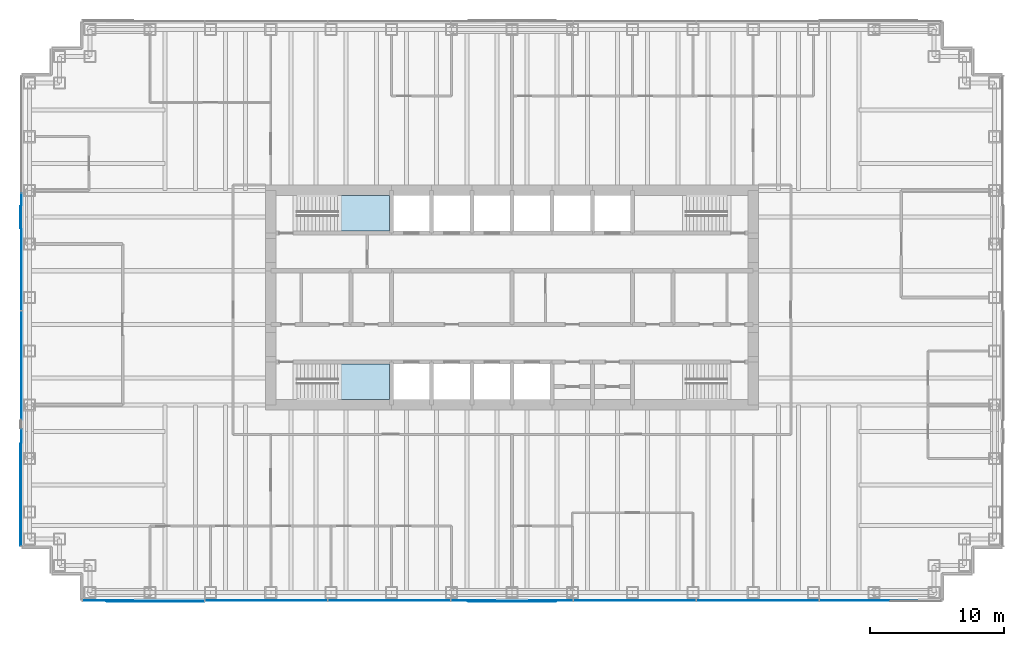
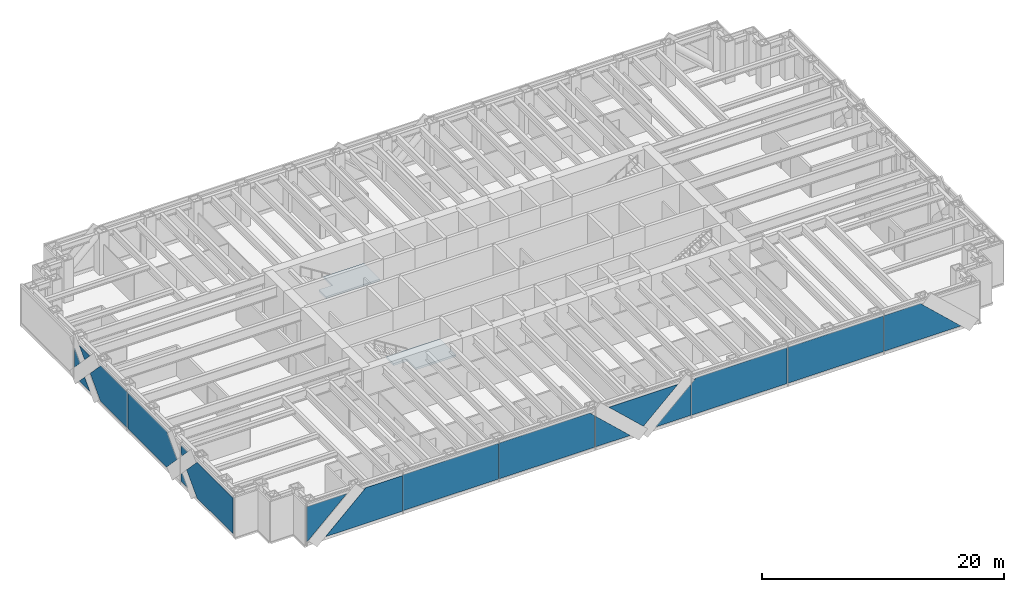
# One storey, part 9 of 18: 18 plates, 2 slabs, 4 elements without a shape of their own.
"""IFC4 building model written with IfcOpenShell, lengths in metres."""

import ifcopenshell
import ifcopenshell.guid

model = None  # the IFC model being written
_history = None  # IfcOwnerHistory: only IFC2X3 demands one
_inside = {}  # id of a spatial element -> (the spatial element, [elements in it])
_under = {}  # id of a project, library or spatial element -> (it, [spatial elements below it])
_declared = {}  # id of a project -> (the project, [libraries it declares])
_typed = {}  # id of a type object -> (the type object, [elements of that type])
_made_of = {}  # id of a material, layer set ... -> (it, [elements and type objects made of it])


def new_model(schema):
    """Start an empty IFC model of exactly this schema.

    Asked for "IFC4X3", IfcOpenShell would pick the latest addendum, in which some entities
    have other attributes; the version numbers below select the first issue.
    IFC2X3 requires an IfcOwnerHistory on every rooted entity: one is made here for all.
    """
    global model, _history
    if schema == "IFC4X3":
        model = ifcopenshell.file(schema_version=(4, 3, 0, 0))
    else:
        model = ifcopenshell.file(schema=schema)
    _inside.clear()
    _under.clear()
    _declared.clear()
    _typed.clear()
    _made_of.clear()
    _history = None
    if model.schema == "IFC2X3":
        org = make("IfcOrganization", Name="unknown")
        user = make(
            "IfcPersonAndOrganization",
            ThePerson=make("IfcPerson", FamilyName="unknown"),
            TheOrganization=org,
        )
        app = make(
            "IfcApplication",
            ApplicationDeveloper=org,
            Version="unknown",
            ApplicationFullName="unknown",
            ApplicationIdentifier="unknown",
        )
        _history = make(
            "IfcOwnerHistory",
            OwningUser=user,
            OwningApplication=app,
            ChangeAction="ADDED",
            CreationDate=0,
        )
    return model


def make(cls, **values):
    """One entity of the class cls with the attributes given. An attribute that is None is left unset."""
    return model.create_entity(
        cls, **{name: value for name, value in values.items() if value is not None}
    )


def rooted(cls, **values):
    """An entity with a GlobalId (a new one), such as an element, a storey or a relation."""
    return make(cls, GlobalId=ifcopenshell.guid.new(), OwnerHistory=_history, **values)


def si_unit(unit_type, name, prefix=None):
    """IfcSIUnit, for example si_unit("LENGTHUNIT", "METRE", prefix="MILLI")."""
    return make("IfcSIUnit", UnitType=unit_type, Prefix=prefix, Name=name)


def assignment(units):
    """IfcUnitAssignment: the units of a project."""
    return None if units is None else make("IfcUnitAssignment", Units=units)


def point(xyz):
    """IfcCartesianPoint."""
    return None if xyz is None else make("IfcCartesianPoint", Coordinates=xyz)


def direction(xyz):
    """IfcDirection."""
    return None if xyz is None else make("IfcDirection", DirectionRatios=xyz)


def frame(location, z_axis=None, x_axis=None):
    """IfcAxis2Placement3D, a coordinate frame: its origin and axes. An axis left out is left unset."""
    return make(
        "IfcAxis2Placement3D",
        Location=point(location),
        Axis=direction(z_axis),
        RefDirection=direction(x_axis),
    )


def frame_2d(location, x_axis=None):
    """IfcAxis2Placement2D, a coordinate frame in the plane: its origin and x axis."""
    return make(
        "IfcAxis2Placement2D", Location=point(location), RefDirection=direction(x_axis)
    )


def origin():
    """The frame at (0, 0, 0) with its axes left unset."""
    return frame((0.0, 0.0, 0.0))


def origin_2d():
    """The frame at (0, 0) in the plane with its x axis left unset."""
    return frame_2d((0.0, 0.0))


def place(relative_to, where):
    """IfcLocalPlacement: puts the frame where relative to a parent placement (None: the world)."""
    return make(
        "IfcLocalPlacement", PlacementRelTo=relative_to, RelativePlacement=where
    )


def context(
    kind, dimensions, precision=None, world=None, true_north=None, identifier=None
):
    """IfcGeometricRepresentationContext, for example the 3D "Model" context."""
    return make(
        "IfcGeometricRepresentationContext",
        ContextIdentifier=identifier,
        ContextType=kind,
        CoordinateSpaceDimension=dimensions,
        Precision=precision,
        WorldCoordinateSystem=world,
        TrueNorth=true_north,
    )


def subcontext(parent, identifier, kind, view, scale=None):
    """IfcGeometricRepresentationSubContext, for example "Body" below "Model"."""
    return make(
        "IfcGeometricRepresentationSubContext",
        ContextIdentifier=identifier,
        ContextType=kind,
        ParentContext=parent,
        TargetScale=scale,
        TargetView=view,
    )


def project(units=None, contexts=None):
    """IfcProject with its units and contexts."""
    return rooted(
        "IfcProject",
        Name="project",
        RepresentationContexts=contexts,
        UnitsInContext=assignment(units),
    )


def spatial(cls, under=None, at=None, **own):
    """A site, building, storey or space (cls), placed at a placement, below another one or the project."""
    s = rooted(cls, ObjectPlacement=at, **own)
    if under is not None:
        _under.setdefault(under.id(), (under, []))[1].append(s)
    return s


def polyline(points):
    """IfcPolyline through the points."""
    return make("IfcPolyline", Points=[point(p) for p in points])


def profile(cls, at=None, kind="AREA", **sizes):
    """A parametric profile (cls). Its sizes go by their IFC names, for example OverallWidth=200.0."""
    return make(cls, ProfileType=kind, Position=at, **sizes)


def rectangle(**sizes):
    """IfcRectangleProfileDef."""
    return profile("IfcRectangleProfileDef", **sizes)


def outline(outer, holes=None, kind="AREA"):
    """IfcArbitraryClosedProfileDef: a profile drawn as a closed curve; with holes, ...WithVoids."""
    if holes is None:
        return make("IfcArbitraryClosedProfileDef", ProfileType=kind, OuterCurve=outer)
    return make(
        "IfcArbitraryProfileDefWithVoids",
        ProfileType=kind,
        OuterCurve=outer,
        InnerCurves=holes,
    )


def extrude(swept, where, along, depth):
    """IfcExtrudedAreaSolid: the profile swept, set in the frame where, extruded along a direction by depth."""
    return make(
        "IfcExtrudedAreaSolid",
        SweptArea=swept,
        Position=where,
        ExtrudedDirection=direction(along),
        Depth=depth,
    )


def shape(context_of_items, identifier, shape_type, items):
    """IfcShapeRepresentation: the items that make up one representation, for example the "Body"."""
    return make(
        "IfcShapeRepresentation",
        ContextOfItems=context_of_items,
        RepresentationIdentifier=identifier,
        RepresentationType=shape_type,
        Items=items,
    )


def material(Name=None, Category=None):
    """IfcMaterial."""
    return make("IfcMaterial", Name=Name, Category=Category)


def layer(
    of_material, thickness, ventilated=None, Name=None, Category=None, Priority=None
):
    """IfcMaterialLayer: one layer of a wall or slab, of a material (None: an air gap)."""
    return make(
        "IfcMaterialLayer",
        Material=of_material,
        LayerThickness=thickness,
        IsVentilated=ventilated,
        Name=Name,
        Category=Category,
        Priority=Priority,
    )


def layer_set(layers, Name=None):
    """IfcMaterialLayerSet."""
    return make("IfcMaterialLayerSet", MaterialLayers=layers, LayerSetName=Name)


def made_of(thing, what):
    """Note that an element or type object is made of a material, layer set ...; save() writes the relation."""
    if what is not None:
        _made_of.setdefault(what.id(), (what, []))[1].append(thing)
    return thing


def type_object(cls, material=None, **own):
    """A type object (cls), such as IfcWallType, which elements share."""
    return made_of(rooted(cls, **own), material)


def element(
    cls,
    number,
    at=None,
    inside=None,
    cuts=None,
    type_object=None,
    material=None,
    context=None,
    identifier="Body",
    shape_type=None,
    held_by="IfcProductDefinitionShape",
    body=None,
    shapes=None,
    **own,
):
    """One element of the class cls, such as IfcWall. Its Tag is "e" and its number.

    at: its placement. inside: the storey or other place that contains it. cuts: it is an
    opening in that element (IfcRelVoidsElement). A single representation is given by context,
    identifier, shape_type and body (its items); several are given by shapes. held_by: the class
    of the entity that holds the representations. save() writes the other relations.
    """
    e = rooted(cls, Tag="e%d" % number, ObjectPlacement=at, **own)
    if body is not None:
        shapes = [shape(context, identifier, shape_type, body)]
    if shapes is not None:
        e.Representation = make(held_by, Representations=shapes)
    if inside is not None:
        _inside.setdefault(inside.id(), (inside, []))[1].append(e)
    if cuts is not None:
        rooted(
            "IfcRelVoidsElement", RelatingBuildingElement=cuts, RelatedOpeningElement=e
        )
    if type_object is not None:
        _typed.setdefault(type_object.id(), (type_object, []))[1].append(e)
    return made_of(e, material)


def aggregate(whole, parts):
    """IfcRelAggregates: a whole, such as a stair, and the parts it consists of."""
    return rooted("IfcRelAggregates", RelatingObject=whole, RelatedObjects=parts)


def save(model, path):
    """Write the relations noted so far, then the file.

    IfcRelAggregates (storeys below a building ...), IfcRelContainedInSpatialStructure (elements
    in a storey), IfcRelDefinesByType, IfcRelAssociatesMaterial and IfcRelDeclares: one each for
    every whole, place, type object, material and project.
    """
    for whole, parts in _under.values():
        aggregate(whole, parts)
    for where, things in _inside.values():
        rooted(
            "IfcRelContainedInSpatialStructure",
            RelatedElements=things,
            RelatingStructure=where,
        )
    for kind, things in _typed.values():
        rooted("IfcRelDefinesByType", RelatedObjects=things, RelatingType=kind)
    for what, things in _made_of.values():
        rooted("IfcRelAssociatesMaterial", RelatedObjects=things, RelatingMaterial=what)
    for by, libraries in _declared.values():
        rooted("IfcRelDeclares", RelatingContext=by, RelatedDefinitions=libraries)
    model.write(path)


model = new_model("IFC4")

# Units and contexts
model_context = context("Model", 3, precision=1e-05, world=origin(), true_north=direction((0.0, 1.0)))
body_context = subcontext(model_context, "Body", "Model", "MODEL_VIEW")
ifc_project = project(units=[si_unit("LENGTHUNIT", "METRE"), si_unit("AREAUNIT", "SQUARE_METRE"), si_unit("VOLUMEUNIT", "CUBIC_METRE"), si_unit("PLANEANGLEUNIT", "RADIAN"), si_unit("MASSUNIT", "GRAM", prefix="KILO")], contexts=[model_context])

# Site, building, storey
site_placement = place(None, origin())
site = spatial("IfcSite", under=ifc_project, at=site_placement, CompositionType="ELEMENT")
building_placement = place(site_placement, origin())
building = spatial("IfcBuilding", under=site, at=building_placement, Name="Rheinbord Bourse Tower", CompositionType="ELEMENT")
storey_placement = place(building_placement, frame((0.0, 0.0, 244.60009765625)))
storey = spatial("IfcBuildingStorey", under=building, at=storey_placement, Name="L55", CompositionType="ELEMENT", Elevation=244.60009765625)

# Curtain wall, plates
ifc_material_1 = material(Name="Dark glass and black aluminium", Category="aluminium")
curtain_wall_type = type_object("IfcCurtainWallType", Name="CW2 DARK GLASS CURTAIN WALL", PredefinedType="USERDEFINED", material=ifc_material_1)
curtain_wall_1_placement = place(storey_placement, origin())
curtain_wall_1 = element("IfcCurtainWall", 1, at=curtain_wall_1_placement, inside=storey, type_object=curtain_wall_type, Name="Curtain wall CW2 S L55", ObjectType="UNITISED CURTAIN WALL", PredefinedType="USERDEFINED")
ifc_material_2 = material(Name="Dark tinted triple insulating glass", Category="glass")
ifc_layer_1 = layer(ifc_material_2, 0.050048828125)
ifc_layer_set_1 = layer_set([ifc_layer_1], Name="CW2 DARK GLASS PANEL")
plate_type = type_object("IfcPlateType", Name="CW2 DARK GLASS PANEL", PredefinedType="CURTAIN_PANEL", material=ifc_layer_set_1)
plate_1_placement = place(storey_placement, frame((17.6572265625, 1.39990234375, 0.2998046875), z_axis=(0.0, 0.0, 1.0), x_axis=(1.0, 0.0, 0.0)))
plate_1 = element("IfcPlate", 2, at=plate_1_placement, type_object=plate_type, Name="CW2 panel 2.1", PredefinedType="CURTAIN_PANEL", context=body_context, shape_type="SweptSolid", body=[
    extrude(rectangle(XDim=9.101318359375, YDim=0.050048828125, at=origin_2d()), origin(), (0.0, 0.0, 1.0), 3.60009765625),
])
plate_2_placement = place(storey_placement, frame((54.3427734375, 1.39990234375, 0.2998046875), z_axis=(0.0, 0.0, 1.0), x_axis=(1.0, 0.0, 0.0)))
plate_2 = element("IfcPlate", 3, at=plate_2_placement, type_object=plate_type, Name="CW2 panel 6.1", PredefinedType="CURTAIN_PANEL", context=body_context, shape_type="SweptSolid", body=[
    extrude(rectangle(XDim=9.101318359375, YDim=0.050048828125, at=origin_2d()), origin(), (0.0, 0.0, 1.0), 3.60009765625),
])
plate_3_placement = place(storey_placement, frame((3.969970703125, 1.375, 3.89990234375), z_axis=(0.0, 1.0, 0.0), x_axis=(1.0, 0.0, 0.0)))
plate_3 = element("IfcPlate", 4, at=plate_3_placement, type_object=plate_type, Name="CW2 glass facet 1", PredefinedType="CURTAIN_PANEL", context=body_context, shape_type="SweptSolid", body=[
    extrude(outline(polyline([(0.0, 0.0), (3.822021484375, 0.0), (0.0, 3.56689453125), (0.0, 0.0)])), origin(), (0.0, 0.0, 1.0), 0.050048828125),
])
plate_4_placement = place(storey_placement, frame((13.035888671875, 1.31982421875, 3.89990234375), z_axis=(0.0, 1.0, 0.0), x_axis=(0.0, 0.0, -1.0)))
plate_4 = element("IfcPlate", 5, at=plate_4_placement, type_object=plate_type, Name="CW2 glass facet 2", PredefinedType="CURTAIN_PANEL", context=body_context, shape_type="SweptSolid", body=[
    extrude(outline(polyline([(0.0, 0.0), (3.60009765625, 0.0), (3.60009765625, 7.327880859375), (0.0, 3.470947265625), (0.0, 0.0)])), origin(), (0.0, 0.0, 1.0), 0.050048828125),
])
plate_5_placement = place(storey_placement, frame((31.37890625, 1.375, 0.2998046875), z_axis=(0.0, 1.0, 0.0), x_axis=(-1.0, 0.0, 0.0)))
plate_5 = element("IfcPlate", 6, at=plate_5_placement, type_object=plate_type, Name="CW2 glass facet 1", PredefinedType="CURTAIN_PANEL", context=body_context, shape_type="SweptSolid", body=[
    extrude(outline(polyline([(0.0, 0.0), (9.100830078125, 0.0), (9.100830078125, 3.60009765625), (0.44384765625, 3.60009765625), (0.0, 3.18505859375), (0.0, 0.0)])), origin(), (0.0, 0.0, 1.0), 0.050048828125),
])
plate_6_placement = place(storey_placement, frame((31.448974609375, 1.375, 0.2998046875), z_axis=(0.0, 1.0, 0.0), x_axis=(0.0, 0.0, 1.0)))
plate_6 = element("IfcPlate", 7, at=plate_6_placement, type_object=plate_type, Name="CW2 glass facet 1", PredefinedType="CURTAIN_PANEL", context=body_context, shape_type="SweptSolid", body=[
    extrude(outline(polyline([(0.0, 0.0), (3.1201171875, 0.0), (0.0, 3.343017578125), (0.0, 0.0)])), origin(), (0.0, 0.0, 1.0), 0.050048828125),
])
plate_7_placement = place(storey_placement, frame((39.2919921875, 1.31982421875, 3.89990234375), z_axis=(0.0, 1.0, 0.0), x_axis=(-0.731111160705, 0.0, -0.682258360661)))
plate_7 = element("IfcPlate", 8, at=plate_7_placement, type_object=plate_type, Name="CW2 glass facet 2", PredefinedType="CURTAIN_PANEL", context=body_context, shape_type="SweptSolid", body=[
    extrude(outline(polyline([(0.0, 0.0), (4.502685546875, 0.0), (4.813720703125, 4.491943359375), (0.0, 0.0)])), origin(), (0.0, 0.0, 1.0), 0.050048828125),
])
plate_8_placement = place(storey_placement, frame((40.551025390625, 1.375, 0.2998046875), z_axis=(0.0, 1.0, 0.0), x_axis=(-1.0, 0.0, 0.0)))
plate_8 = element("IfcPlate", 9, at=plate_8_placement, type_object=plate_type, Name="CW2 glass facet 3", PredefinedType="CURTAIN_PANEL", context=body_context, shape_type="SweptSolid", body=[
    extrude(outline(polyline([(0.0, 0.0), (3.343017578125, 0.0), (0.0, 3.1201171875), (0.0, 0.0)])), origin(), (0.0, 0.0, 1.0), 0.050048828125),
])
plate_9_placement = place(storey_placement, frame((49.721923828125, 1.375, 3.89990234375), z_axis=(0.0, 1.0, 0.0), x_axis=(0.0, 0.0, -1.0)))
plate_9 = element("IfcPlate", 10, at=plate_9_placement, type_object=plate_type, Name="CW2 glass facet 1", PredefinedType="CURTAIN_PANEL", context=body_context, shape_type="SweptSolid", body=[
    extrude(outline(polyline([(0.0, 0.0), (3.60009765625, 0.0), (3.60009765625, 9.100830078125), (0.4150390625, 9.100830078125), (0.0, 8.656982421875), (0.0, 0.0)])), origin(), (0.0, 0.0, 1.0), 0.050048828125),
])
plate_10_placement = place(storey_placement, frame((58.964111328125, 1.375, 0.2998046875), z_axis=(0.0, 1.0, 0.0), x_axis=(0.0, 0.0, 1.0)))
plate_10 = element("IfcPlate", 11, at=plate_10_placement, type_object=plate_type, Name="CW2 glass facet 1", PredefinedType="CURTAIN_PANEL", context=body_context, shape_type="SweptSolid", body=[
    extrude(outline(polyline([(0.0, 0.0), (3.60009765625, 0.0), (3.60009765625, 3.470947265625), (0.0, 7.327880859375), (0.0, 0.0)])), origin(), (0.0, 0.0, 1.0), 0.050048828125),
])
aggregate(curtain_wall_1, [plate_1, plate_2, plate_3, plate_4, plate_5, plate_6, plate_7, plate_8, plate_9, plate_10])

curtain_wall_2_placement = place(storey_placement, origin())
curtain_wall_2 = element("IfcCurtainWall", 12, at=curtain_wall_2_placement, inside=storey, type_object=curtain_wall_type, Name="Curtain wall CW2 W L55", ObjectType="UNITISED CURTAIN WALL", PredefinedType="USERDEFINED")
plate_11_placement = place(storey_placement, frame((-0.625, 31.764892578125, 3.075927734375), z_axis=(1.0, 0.0, 0.0), x_axis=(0.0, -0.689786297997, -0.724013026882)))
plate_11 = element("IfcPlate", 13, at=plate_11_placement, type_object=plate_type, Name="CW2 glass facet 1", PredefinedType="CURTAIN_PANEL", context=body_context, shape_type="SweptSolid", body=[
    extrude(outline(polyline([(0.0, 0.0), (1.34814453125, 0.0), (1.4130859375, 1.346435546875), (0.0, 0.0)])), origin(), (0.0, 0.0, 1.0), 0.050048828125),
])
plate_12_placement = place(storey_placement, frame((-0.68017578125, 30.87890625, 0.2998046875), z_axis=(1.0, 0.0, 0.0), x_axis=(0.0, -0.689559508121, 0.724229027835)))
plate_12 = element("IfcPlate", 14, at=plate_12_placement, type_object=plate_type, Name="CW2 glass facet 2", PredefinedType="CURTAIN_PANEL", context=body_context, shape_type="SweptSolid", body=[
    extrude(outline(polyline([(0.0, 0.0), (1.274658203125, 0.0), (1.212158203125, 1.27294921875), (0.0, 0.0)])), origin(), (0.0, 0.0, 1.0), 0.050048828125),
])
plate_13_placement = place(storey_placement, frame((-0.68017578125, 29.12109375, 3.89990234375), z_axis=(1.0, 0.0, 0.0), x_axis=(0.0, 0.689559508121, -0.724229027835)))
plate_13 = element("IfcPlate", 15, at=plate_13_placement, type_object=plate_type, Name="CW2 glass facet 3", PredefinedType="CURTAIN_PANEL", context=body_context, shape_type="SweptSolid", body=[
    extrude(outline(polyline([(0.0, 0.0), (1.274658203125, 0.0), (1.212158203125, 1.27294921875), (0.0, 0.0)])), origin(), (0.0, 0.0, 1.0), 0.050048828125),
])
plate_14_placement = place(storey_placement, frame((-0.625, 23.034912109375, 3.89990234375), z_axis=(1.0, 0.0, 0.0), x_axis=(0.0, 0.0, -1.0)))
plate_14 = element("IfcPlate", 16, at=plate_14_placement, type_object=plate_type, Name="CW2 glass facet 4", PredefinedType="CURTAIN_PANEL", context=body_context, shape_type="SweptSolid", body=[
    extrude(outline(polyline([(0.0, 0.0), (3.60009765625, 0.0), (3.60009765625, 4.4150390625), (1.800048828125, 6.130126953125), (0.0, 4.4150390625), (0.0, 0.0)])), origin(), (0.0, 0.0, 1.0), 0.050048828125),
])
plate_15_placement = place(storey_placement, frame((-0.625, 22.965087890625, 0.2998046875), z_axis=(1.0, 0.0, 0.0), x_axis=(0.0, 0.0, 1.0)))
plate_15 = element("IfcPlate", 17, at=plate_15_placement, type_object=plate_type, Name="CW2 glass facet 1", PredefinedType="CURTAIN_PANEL", context=body_context, shape_type="SweptSolid", body=[
    extrude(outline(polyline([(0.0, 0.0), (3.60009765625, 0.0), (3.60009765625, 6.4150390625), (1.800048828125, 8.130126953125), (0.0, 6.4150390625), (0.0, 0.0)])), origin(), (0.0, 0.0, 1.0), 0.050048828125),
])
plate_16_placement = place(storey_placement, frame((-0.625, 14.1650390625, 0.2998046875), z_axis=(1.0, 0.0, 0.0), x_axis=(0.0, 0.0, 1.0)))
plate_16 = element("IfcPlate", 18, at=plate_16_placement, type_object=plate_type, Name="CW2 glass facet 1", PredefinedType="CURTAIN_PANEL", context=body_context, shape_type="SweptSolid", body=[
    extrude(outline(polyline([(0.0, 0.0), (0.7490234375, 0.0), (0.923095703125, 0.1650390625), (0.0, 1.0439453125), (0.0, 0.0)])), origin(), (0.0, 0.0, 1.0), 0.050048828125),
])
plate_17_placement = place(storey_placement, frame((-0.625, 14.1650390625, 3.89990234375), z_axis=(1.0, 0.0, 0.0), x_axis=(0.0, -1.0, 0.0)))
plate_17 = element("IfcPlate", 19, at=plate_17_placement, type_object=plate_type, Name="CW2 glass facet 2", PredefinedType="CURTAIN_PANEL", context=body_context, shape_type="SweptSolid", body=[
    extrude(outline(polyline([(0.0, 0.0), (1.0439453125, 0.0), (0.1650390625, 0.923095703125), (0.0, 0.7490234375), (0.0, 0.0)])), origin(), (0.0, 0.0, 1.0), 0.050048828125),
])
plate_18_placement = place(storey_placement, frame((-0.68017578125, 5.469970703125, 3.89990234375), z_axis=(1.0, 0.0, 0.0), x_axis=(0.0, 0.0, -1.0)))
plate_18 = element("IfcPlate", 20, at=plate_18_placement, type_object=plate_type, Name="CW2 glass facet 3", PredefinedType="CURTAIN_PANEL", context=body_context, shape_type="SweptSolid", body=[
    extrude(outline(polyline([(0.0, 0.0), (3.60009765625, 0.0), (3.60009765625, 5.97998046875), (1.800048828125, 7.695068359375), (0.0, 5.97998046875), (0.0, 0.0)])), origin(), (0.0, 0.0, 1.0), 0.050048828125),
])
aggregate(curtain_wall_2, [plate_11, plate_12, plate_13, plate_14, plate_15, plate_16, plate_17, plate_18])

# Stair, slab
ifc_material_3 = material(Name="Concrete C30/37", Category="concrete")
stair_type = type_object("IfcStairType", Name="CORE STAIR HALF TURN 4200", PredefinedType="HALF_TURN_STAIR", material=ifc_material_3)
stair_1_placement = place(storey_placement, origin())
stair_1 = element("IfcStair", 21, at=stair_1_placement, inside=storey, type_object=stair_type, Name="Stair ST1 L55, type CS6", PredefinedType="HALF_TURN_STAIR")
ifc_material_4 = material(Name="Concrete C30/37", Category="concrete")
ifc_layer_2 = layer(ifc_material_4, 0.199951171875)
ifc_layer_set_2 = layer_set([ifc_layer_2], Name="STAIR LANDING 200")
slab_type = type_object("IfcSlabType", Name="STAIR LANDING 200", PredefinedType="LANDING", material=ifc_layer_set_2)
slab_1_placement = place(storey_placement, frame((0.0, 0.0, 1.89990234375)))
slab_1 = element("IfcSlab", 22, at=slab_1_placement, type_object=slab_type, Name="Half landing ST1 L55", PredefinedType="LANDING", context=body_context, shape_type="SweptSolid", body=[
    extrude(outline(polyline([(23.030029296875, 16.39990234375), (26.85009765625, 16.39990234375), (26.85009765625, 19.050048828125), (21.748046875, 19.050048828125), (21.748046875, 17.85009765625), (23.030029296875, 17.85009765625), (23.030029296875, 16.39990234375)])), origin(), (0.0, 0.0, 1.0), 0.199951171875),
])
aggregate(stair_1, [slab_1])

stair_2_placement = place(storey_placement, origin())
stair_2 = element("IfcStair", 23, at=stair_2_placement, inside=storey, type_object=stair_type, Name="Stair ST2 L55, type CS6", PredefinedType="HALF_TURN_STAIR")
slab_2_placement = place(storey_placement, frame((0.0, 0.0, 1.89990234375)))
slab_2 = element("IfcSlab", 24, at=slab_2_placement, type_object=slab_type, Name="Half landing ST2 L55", PredefinedType="LANDING", context=body_context, shape_type="SweptSolid", body=[
    extrude(outline(polyline([(21.748046875, 28.949951171875), (26.85009765625, 28.949951171875), (26.85009765625, 31.60009765625), (23.030029296875, 31.60009765625), (23.030029296875, 30.14990234375), (21.748046875, 30.14990234375), (21.748046875, 28.949951171875)])), origin(), (0.0, 0.0, 1.0), 0.199951171875),
])
aggregate(stair_2, [slab_2])

save(model, "model.ifc")
